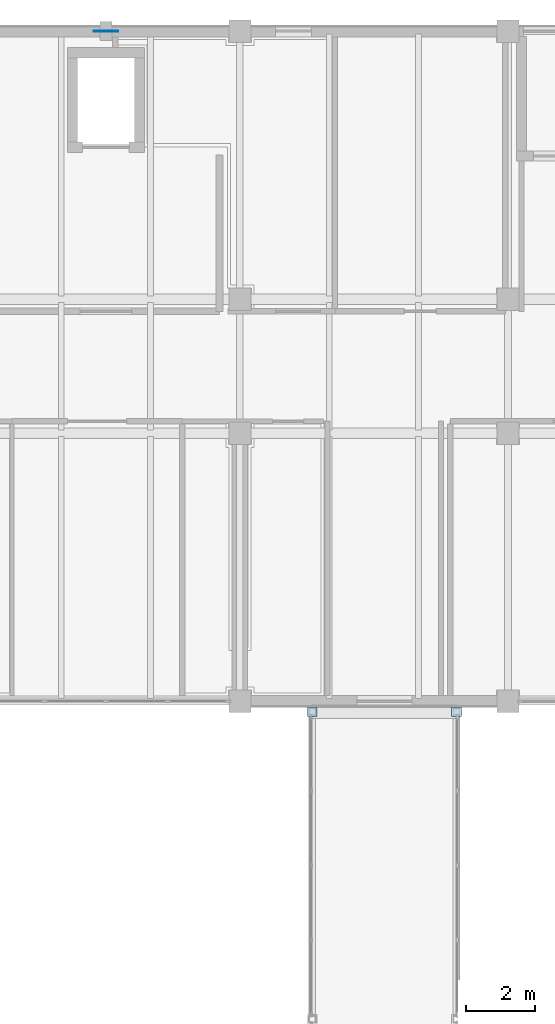
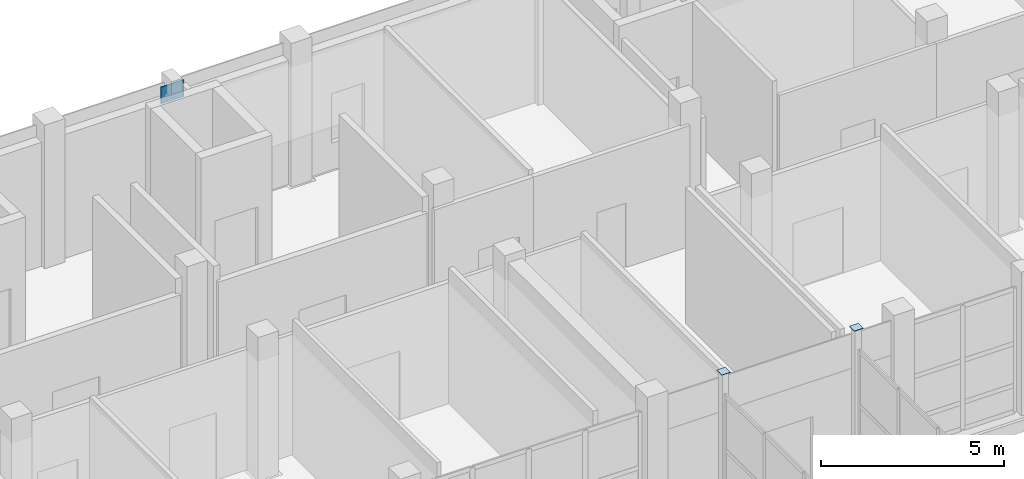
# One storey, part 89 of 131: 3 plates.
"""IFC4 building model written with IfcOpenShell, lengths in metres."""

from ifc_helpers import new_model, si_unit, direction, frame, origin, origin_2d, place, context, subcontext, project, spatial, rectangle, extrude, material, layer, layer_set, type_object, element, save


model = new_model("IFC4")

# Units and contexts
model_context = context("Model", 3, precision=1e-05, world=origin(), true_north=direction((0.0, 1.0)))
body_context = subcontext(model_context, "Body", "Model", "MODEL_VIEW")
ifc_project = project(units=[si_unit("LENGTHUNIT", "METRE"), si_unit("AREAUNIT", "SQUARE_METRE"), si_unit("VOLUMEUNIT", "CUBIC_METRE"), si_unit("PLANEANGLEUNIT", "RADIAN"), si_unit("MASSUNIT", "GRAM", prefix="KILO")], contexts=[model_context])

# Site, building, storey
site_placement = place(None, origin())
site = spatial("IfcSite", under=ifc_project, at=site_placement, CompositionType="ELEMENT")
building_placement = place(site_placement, origin())
building = spatial("IfcBuilding", under=site, at=building_placement, Name="Celorna Specialist Clinic", CompositionType="ELEMENT")
storey_placement = place(building_placement, origin())
storey = spatial("IfcBuildingStorey", under=building, at=storey_placement, Name="L00", CompositionType="ELEMENT", Elevation=0.0)

# Plates
ifc_material = material(Name="Steel S355", Category="steel")
ifc_layer_1 = layer(ifc_material, 0.013916015625, Name="Steel S355")
ifc_layer_set_1 = layer_set([ifc_layer_1], Name="Steel S355")
plate_type_1 = type_object("IfcPlateType", Name="EP-05", PredefinedType="SHEET", material=ifc_layer_set_1)
for number, where, z_axis, x_axis, name in (
    (1, (72.300048828125, 96.199951171875, 4.800048828125), (0.0, 0.0, 1.0), (1.0, 0.0, 0.0), "Hollow column cap plate COL-L00-CT-15-7230-9620"),
    (2, (76.5, 96.199951171875, 4.800048828125), (0.0, 0.0, 1.0), (1.0, 0.0, 0.0), "Hollow column cap plate COL-L00-CT-15-7650-9620"),
):
    element("IfcPlate", number, at=place(storey_placement, frame(where, z_axis=z_axis, x_axis=x_axis)), inside=storey, type_object=plate_type_1, Name=name, PredefinedType="SHEET", context=body_context, shape_type="SweptSolid", body=[
        extrude(rectangle(XDim=0.280029296875, YDim=0.280029296875, at=origin_2d()), origin(), (0.0, 0.0, 1.0), 0.01611328125),
    ])
ifc_layer_2 = layer(ifc_material, 0.02490234375, Name="Steel S355")
ifc_layer_set_2 = layer_set([ifc_layer_2], Name="Steel S355")
plate_type_2 = type_object("IfcPlateType", Name="GP-02", PredefinedType="USERDEFINED", material=ifc_layer_set_2)
plate_placement = place(storey_placement, frame((66.300048828125, 116.0, 3.969970703125), z_axis=(0.0, 0.0, 1.0), x_axis=(1.0, 0.0, 0.0)))
element("IfcPlate", 3, at=plate_placement, inside=storey, type_object=plate_type_2, Name="Chevron apex gusset plate GP-02 #80", ObjectType="GUSSET PLATE", PredefinedType="USERDEFINED", context=body_context, shape_type="SweptSolid", body=[
    extrude(rectangle(XDim=0.719970703125, YDim=0.02490234375, at=origin_2d()), origin(), (0.0, 0.0, 1.0), 0.56005859375),
])

save(model, "model.ifc")
